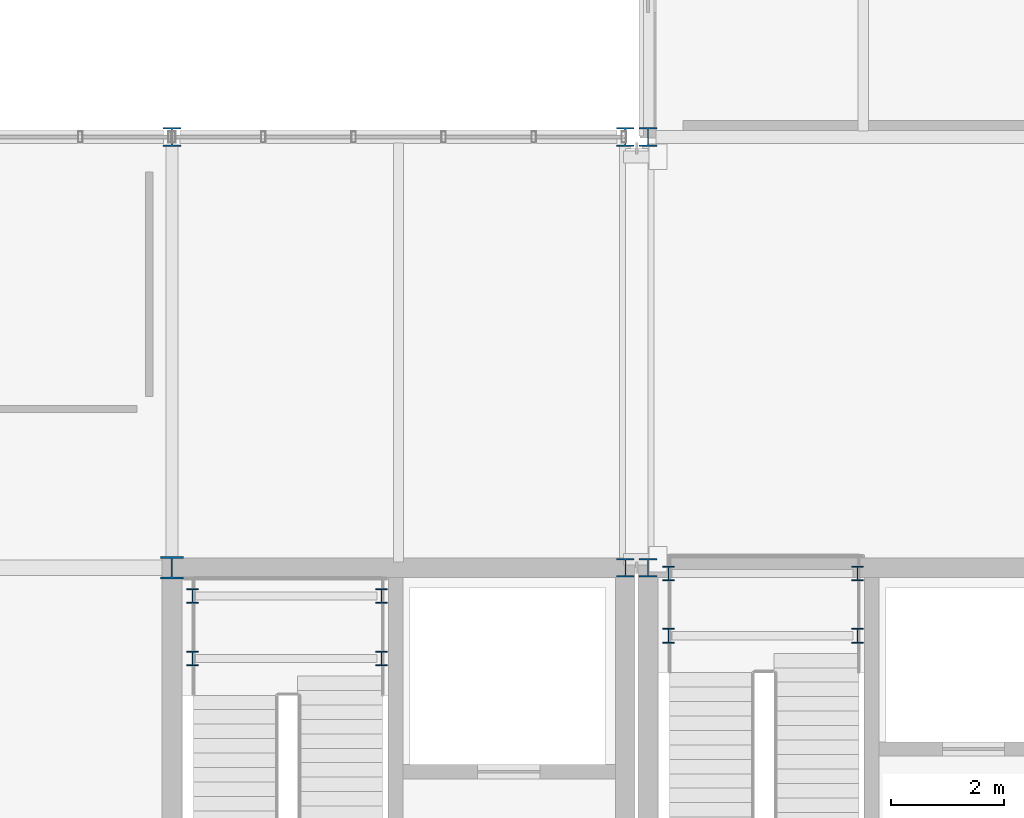
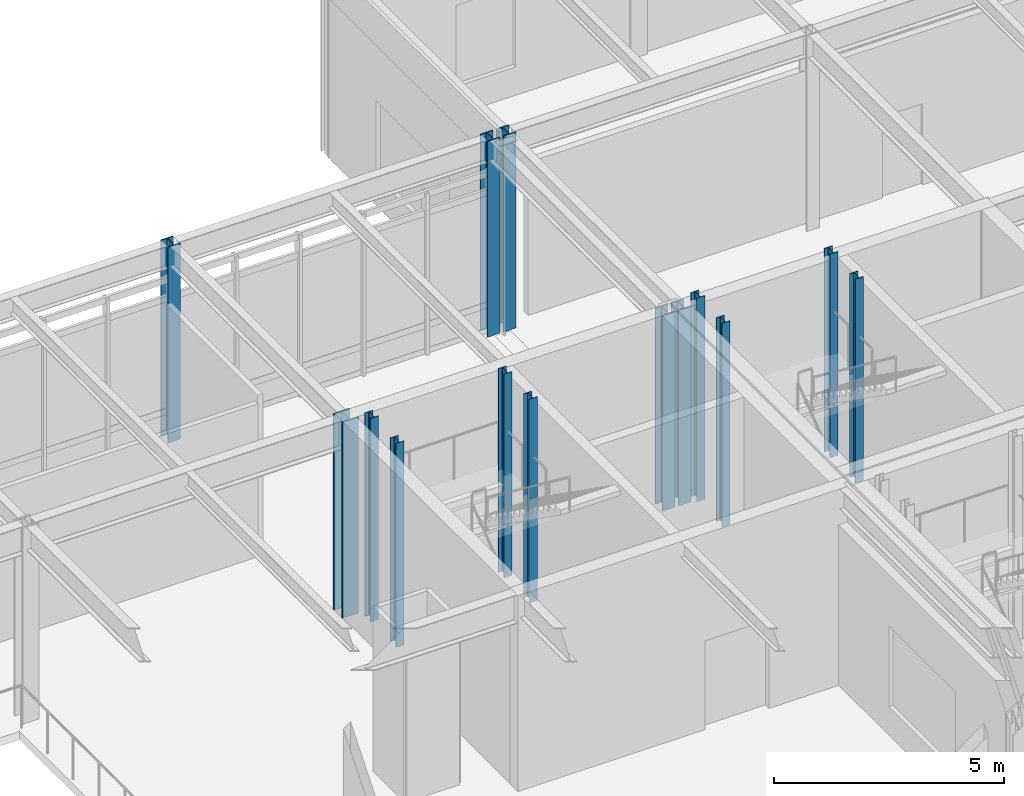
# One storey, part 13 of 94: 14 columns.
"""IFC4 building model written with IfcOpenShell, lengths in metres."""

from ifc_helpers import new_model, si_unit, direction, frame, origin, origin_2d, place, context, subcontext, project, spatial, i_section, extrude, material, material_profile, profile_set, type_object, element, save


model = new_model("IFC4")

# Units and contexts
model_context = context("Model", 3, precision=1e-05, world=origin(), true_north=direction((0.0, 1.0)))
body_context = subcontext(model_context, "Body", "Model", "MODEL_VIEW")
ifc_project = project(units=[si_unit("LENGTHUNIT", "METRE"), si_unit("AREAUNIT", "SQUARE_METRE"), si_unit("VOLUMEUNIT", "CUBIC_METRE"), si_unit("PLANEANGLEUNIT", "RADIAN"), si_unit("MASSUNIT", "GRAM", prefix="KILO")], contexts=[model_context])

# Site, building, storey
site_placement = place(None, origin())
site = spatial("IfcSite", under=ifc_project, at=site_placement, CompositionType="ELEMENT")
building_placement = place(site_placement, origin())
building = spatial("IfcBuilding", under=site, at=building_placement, Name="Zulena Civic Courthouse", CompositionType="ELEMENT")
storey_placement = place(building_placement, frame((0.0, 0.0, 5.39990234375)))
storey = spatial("IfcBuildingStorey", under=building, at=storey_placement, Name="L01", CompositionType="ELEMENT", Elevation=5.39990234375)

# Columns
ifc_material = material(Name="Steel ASTM A992 Grade 50", Category="steel")
ifc_material_profile_1 = material_profile(ifc_material, i_section(OverallWidth=0.2041015625, OverallDepth=0.257080078125, WebThickness=0.0087890625, FlangeThickness=0.015625, FilletRadius=0.0126953125, at=origin_2d()), Name="W10X45")
ifc_profile_set_1 = profile_set([ifc_material_profile_1], Name="Steel ASTM A992 Grade 50")
column_type_1 = type_object("IfcColumnType", Name="Col_W10X45", PredefinedType="COLUMN", material=ifc_profile_set_1)
for number, where, z_axis, x_axis, name in (
    (1, (124.760009765625, 36.800048828125, 0.0), (0.0, 0.0, 1.0), (1.0, 0.0, 0.0), "col:lnd:K3A:L01:0:0"),
    (2, (128.10009765625, 36.800048828125, 0.0), (0.0, 0.0, 1.0), (1.0, 0.0, 0.0), "col:lnd:K3A:L01:0:1"),
    (3, (124.760009765625, 37.89990234375, 0.0), (0.0, 0.0, 1.0), (1.0, 0.0, 0.0), "col:lnd:K3A:L01:1:0"),
    (4, (128.10009765625, 37.89990234375, 0.0), (0.0, 0.0, 1.0), (1.0, 0.0, 0.0), "col:lnd:K3A:L01:1:1"),
    (5, (116.360107421875, 36.39990234375, 0.0), (0.0, 0.0, 1.0), (1.0, 0.0, 0.0), "col:lnd:K4B:L01:0:0"),
    (6, (119.699951171875, 36.39990234375, 0.0), (0.0, 0.0, 1.0), (1.0, 0.0, 0.0), "col:lnd:K4B:L01:0:1"),
    (7, (116.360107421875, 37.5, 0.0), (0.0, 0.0, 1.0), (1.0, 0.0, 0.0), "col:lnd:K4B:L01:1:0"),
    (8, (119.699951171875, 37.5, 0.0), (0.0, 0.0, 1.0), (1.0, 0.0, 0.0), "col:lnd:K4B:L01:1:1"),
):
    element("IfcColumn", number, at=place(storey_placement, frame(where, z_axis=z_axis, x_axis=x_axis)), inside=storey, type_object=column_type_1, Name=name, PredefinedType="COLUMN", context=body_context, shape_type="SweptSolid", body=[
        extrude(i_section(OverallWidth=0.2041015625, OverallDepth=0.257080078125, WebThickness=0.0087890625, FlangeThickness=0.015625, FilletRadius=0.0126953125, at=origin_2d()), origin(), (0.0, 0.0, 1.0), 5.39501953125),
    ])
ifc_material_profile_2 = material_profile(ifc_material, i_section(OverallWidth=0.31298828125, OverallDepth=0.3330078125, WebThickness=0.01806640625, FlangeThickness=0.0283203125, FilletRadius=0.01513671875, at=origin_2d()), Name="W12X120")
ifc_profile_set_2 = profile_set([ifc_material_profile_2], Name="Steel ASTM A992 Grade 50")
column_type_2 = type_object("IfcColumnType", Name="Col_W12X120", PredefinedType="COLUMN", material=ifc_profile_set_2)
for number, where, z_axis, x_axis, name in (
    (9, (124.39990234375, 38.0, 0.0), (0.0, 0.0, 1.0), (1.0, 0.0, 0.0), "col:V3:L01:124.4:38.0"),
    (10, (124.39990234375, 45.60009765625, 0.0), (0.0, 0.0, 1.0), (1.0, 0.0, 0.0), "col:V3:L01:124.4:45.6"),
    (11, (116.0, 45.60009765625, 0.0), (0.0, 0.0, 1.0), (1.0, 0.0, 0.0), "col:V4:L01:116.0:45.6"),
    (12, (124.0, 38.0, 0.0), (0.0, 0.0, 1.0), (1.0, 0.0, 0.0), "col:V4:L01:124.0:38.0"),
    (13, (124.0, 45.60009765625, 0.0), (0.0, 0.0, 1.0), (1.0, 0.0, 0.0), "col:V4:L01:124.0:45.6"),
):
    element("IfcColumn", number, at=place(storey_placement, frame(where, z_axis=z_axis, x_axis=x_axis)), inside=storey, type_object=column_type_2, Name=name, PredefinedType="COLUMN", context=body_context, shape_type="SweptSolid", body=[
        extrude(i_section(OverallWidth=0.31298828125, OverallDepth=0.3330078125, WebThickness=0.01806640625, FlangeThickness=0.0283203125, FilletRadius=0.01513671875, at=origin_2d()), origin(), (0.0, 0.0, 1.0), 5.18505859375),
    ])
ifc_material_profile_3 = material_profile(ifc_material, i_section(OverallWidth=0.40087890625, OverallDepth=0.39892578125, WebThickness=0.02490234375, FlangeThickness=0.03955078125, FilletRadius=0.01513671875, at=origin_2d()), Name="W14X211")
ifc_profile_set_3 = profile_set([ifc_material_profile_3], Name="Steel ASTM A992 Grade 50")
column_type_3 = type_object("IfcColumnType", Name="Col_W14X211", PredefinedType="COLUMN", material=ifc_profile_set_3)
column_placement = place(storey_placement, frame((116.0, 38.0, 0.0), z_axis=(0.0, 0.0, 1.0), x_axis=(1.0, 0.0, 0.0)))
element("IfcColumn", 14, at=column_placement, inside=storey, type_object=column_type_3, Name="col:V4:L01:116.0:38.0", PredefinedType="COLUMN", context=body_context, shape_type="SweptSolid", body=[
    extrude(i_section(OverallWidth=0.40087890625, OverallDepth=0.39892578125, WebThickness=0.02490234375, FlangeThickness=0.03955078125, FilletRadius=0.01513671875, at=origin_2d()), origin(), (0.0, 0.0, 1.0), 5.18505859375),
])

save(model, "model.ifc")
